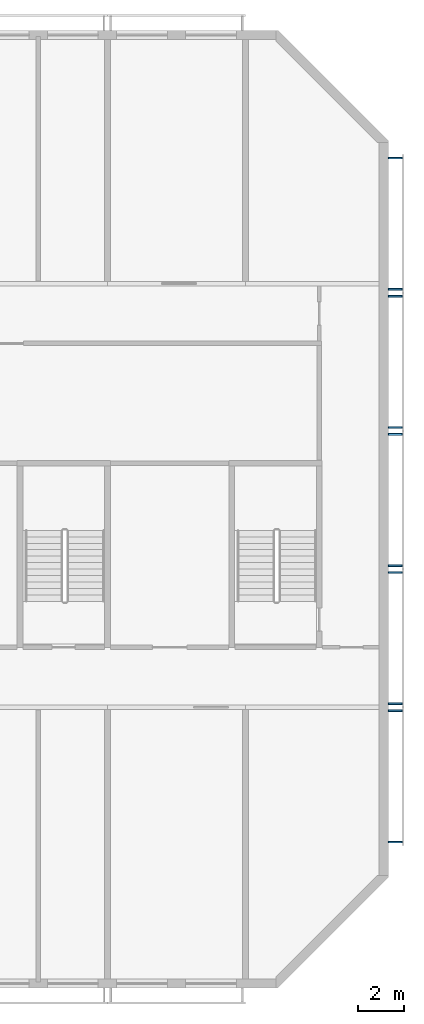
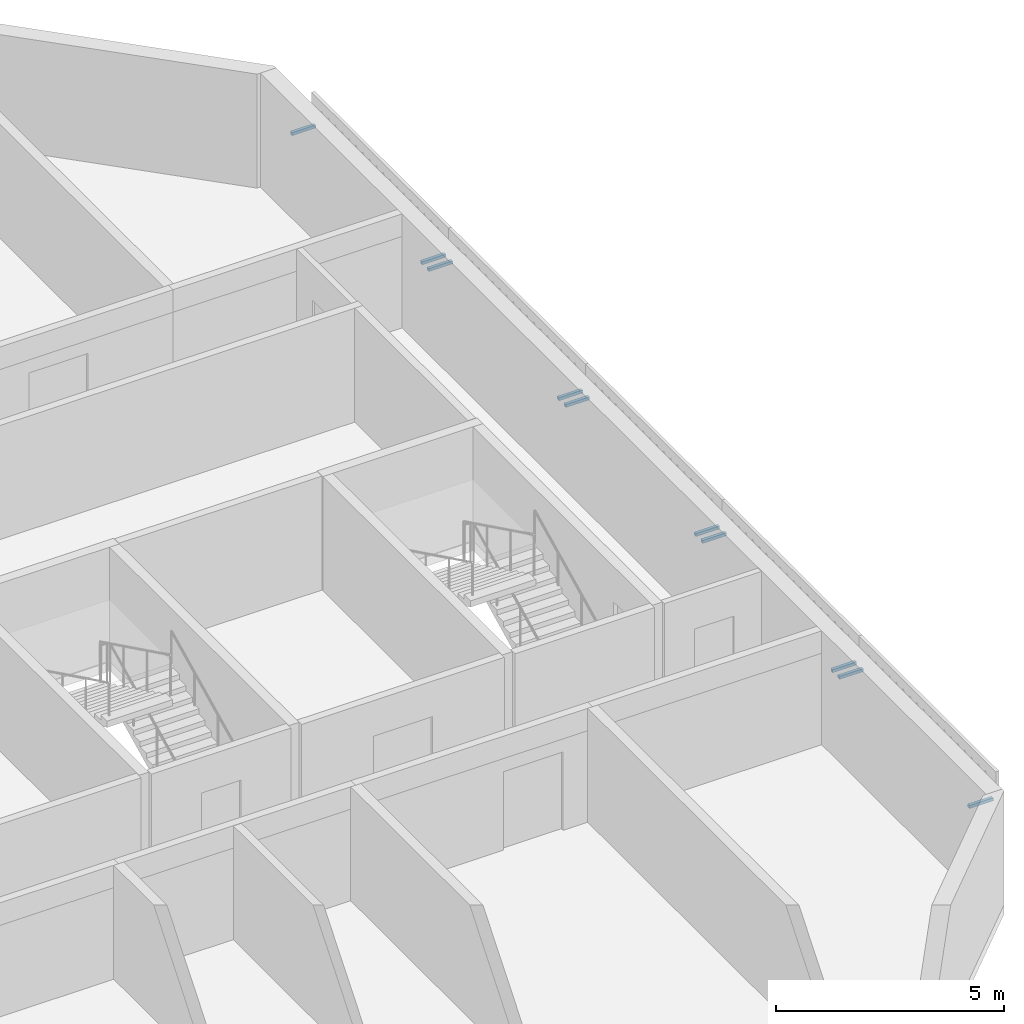
# One storey, part 6 of 18: 10 discrete accessories.
"""IFC4 building model written with IfcOpenShell, lengths in metres."""

from ifc_helpers import new_model, si_unit, direction, frame, origin, origin_2d, place, context, subcontext, project, spatial, rectangle, extrude, source, transform, mapped, material, material_profile, profile_set, type_object, element, save


model = new_model("IFC4")

# Units and contexts
model_context = context("Model", 3, precision=1e-05, world=origin(), true_north=direction((0.0, 1.0)))
body_context = subcontext(model_context, "Body", "Model", "MODEL_VIEW")
ifc_project = project(units=[si_unit("LENGTHUNIT", "METRE"), si_unit("AREAUNIT", "SQUARE_METRE"), si_unit("VOLUMEUNIT", "CUBIC_METRE"), si_unit("PLANEANGLEUNIT", "RADIAN"), si_unit("MASSUNIT", "GRAM", prefix="KILO")], contexts=[model_context])

# Site, building, storey
site_placement = place(None, origin())
site = spatial("IfcSite", under=ifc_project, at=site_placement, CompositionType="ELEMENT")
building_placement = place(site_placement, origin())
building = spatial("IfcBuilding", under=site, at=building_placement, Name="Poui Terraces", CompositionType="ELEMENT")
storey_placement = place(building_placement, frame((0.0, 0.0, 279.0)))
storey = spatial("IfcBuildingStorey", under=building, at=storey_placement, Name="L77 CROWN", CompositionType="ELEMENT", Elevation=279.0)

# Discrete accessories
ifc_material = material(Name="Galvanised steel", Category="steel")
ifc_material_profile = material_profile(ifc_material, rectangle(XDim=0.080078125, YDim=0.080078125, at=origin_2d()), Name="SCREEN BRACKET 80")
ifc_profile_set = profile_set([ifc_material_profile], Name="Galvanised steel")
discrete_accessory_type = type_object("IfcDiscreteAccessoryType", Name="SCREEN BRACKET 80", PredefinedType="BRACKET", material=ifc_profile_set)
shared_shape = source(origin(), body_context, "Body", "SweptSolid", [
    extrude(rectangle(XDim=0.080078125, YDim=0.080078125, at=origin_2d()), origin(), (0.0, 0.0, 1.0), 0.60009765625),
])
for number, where, z_axis, x_axis, name in (
    (1, (84.199951171875, 6.14990234375, 1.699951171875), (1.0, 0.0, 0.0), (0.0, 1.0, 0.0), "SCREEN BRACKET"),
    (2, (84.199951171875, 11.85009765625, 1.699951171875), (1.0, 0.0, 0.0), (0.0, 1.0, 0.0), "SCREEN BRACKET"),
    (3, (84.199951171875, 12.14990234375, 1.699951171875), (1.0, 0.0, 0.0), (0.0, 1.0, 0.0), "SCREEN BRACKET"),
    (4, (84.199951171875, 17.85009765625, 1.699951171875), (1.0, 0.0, 0.0), (0.0, 1.0, 0.0), "SCREEN BRACKET"),
    (5, (84.199951171875, 18.14990234375, 1.699951171875), (1.0, 0.0, 0.0), (0.0, 1.0, 0.0), "SCREEN BRACKET"),
    (6, (84.199951171875, 23.85009765625, 1.699951171875), (1.0, 0.0, 0.0), (0.0, 1.0, 0.0), "SCREEN BRACKET"),
    (7, (84.199951171875, 24.14990234375, 1.699951171875), (1.0, 0.0, 0.0), (0.0, 1.0, 0.0), "SCREEN BRACKET"),
    (8, (84.199951171875, 29.85009765625, 1.699951171875), (1.0, 0.0, 0.0), (0.0, 1.0, 0.0), "SCREEN BRACKET"),
    (9, (84.199951171875, 30.14990234375, 1.699951171875), (1.0, 0.0, 0.0), (0.0, 1.0, 0.0), "SCREEN BRACKET"),
    (10, (84.199951171875, 35.85009765625, 1.699951171875), (1.0, 0.0, 0.0), (0.0, 1.0, 0.0), "SCREEN BRACKET"),
):
    element("IfcDiscreteAccessory", number, at=place(storey_placement, frame(where, z_axis=z_axis, x_axis=x_axis)), inside=storey, type_object=discrete_accessory_type, Name=name, PredefinedType="BRACKET", context=body_context, shape_type="MappedRepresentation", body=[
        mapped(shared_shape, transform((0.0, 0.0, 0.0))),
    ])

save(model, "model.ifc")
